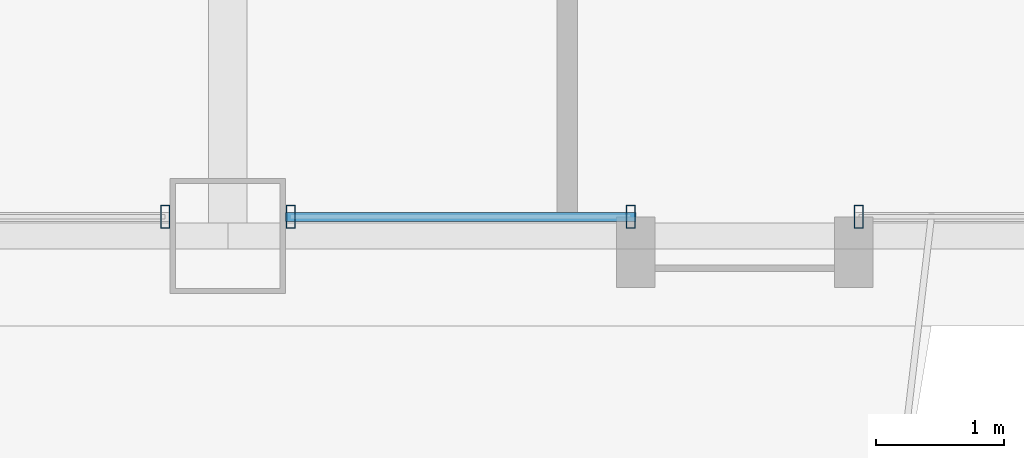
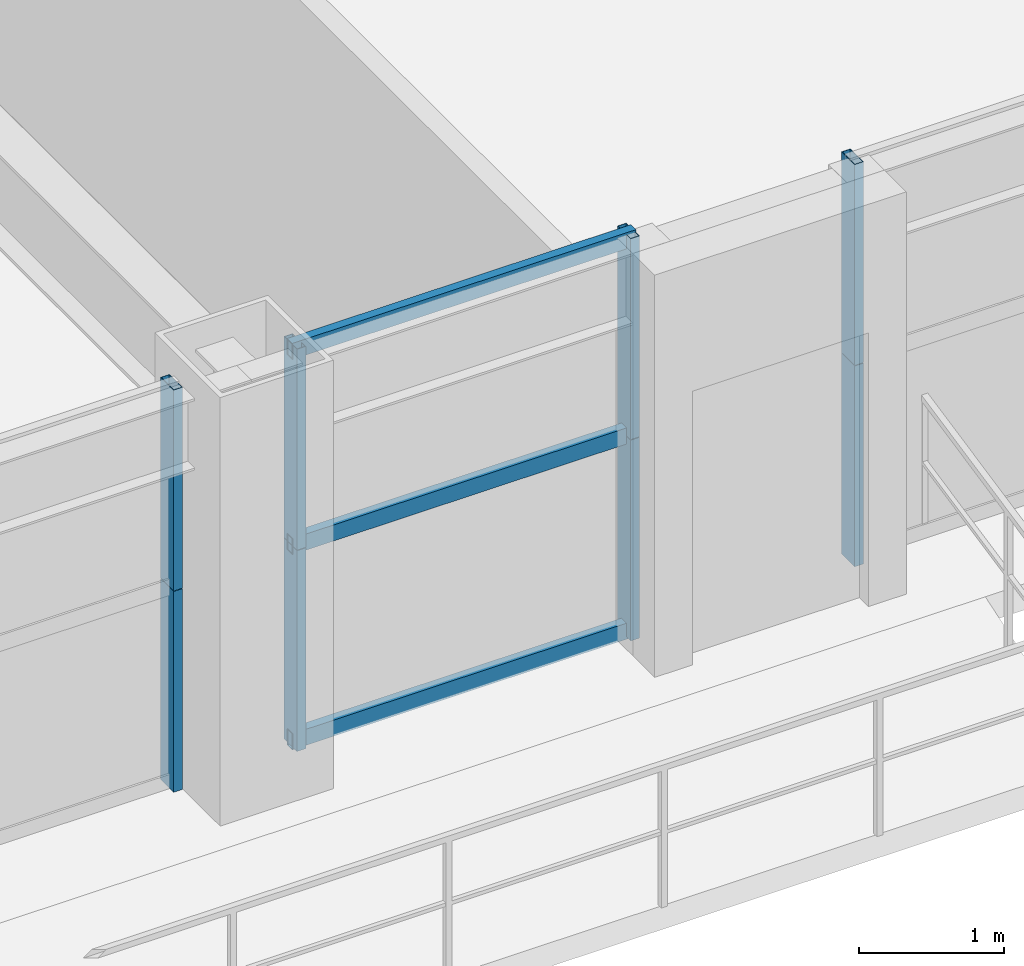
# One storey, part 9 of 43: 11 members, 3 elements without a shape of their own.
"""IFC4 building model written with IfcOpenShell, lengths in metres."""

from ifc_helpers import new_model, si_unit, direction, frame, origin, origin_2d, place, context, subcontext, project, spatial, hollow_rectangle, extrude, source, transform, mapped, material, layer, layer_set, material_profile, profile_set, type_object, element, aggregate, save


model = new_model("IFC4")

# Units and contexts
model_context = context("Model", 3, precision=1e-05, world=origin(), true_north=direction((0.0, 1.0)))
body_context = subcontext(model_context, "Body", "Model", "MODEL_VIEW")
ifc_project = project(units=[si_unit("LENGTHUNIT", "METRE"), si_unit("AREAUNIT", "SQUARE_METRE"), si_unit("VOLUMEUNIT", "CUBIC_METRE"), si_unit("PLANEANGLEUNIT", "RADIAN"), si_unit("MASSUNIT", "GRAM", prefix="KILO"), si_unit("THERMODYNAMICTEMPERATUREUNIT", "KELVIN"), si_unit("POWERUNIT", "WATT")], contexts=[model_context])

# Site, building, storey
site_placement = place(None, origin())
site = spatial("IfcSite", under=ifc_project, at=site_placement, CompositionType="ELEMENT")
building_placement = place(site_placement, origin())
building = spatial("IfcBuilding", under=site, at=building_placement, Name="Yuzanri Waterfront Tower", CompositionType="ELEMENT")
storey_placement = place(building_placement, frame((0.0, 0.0, 78.39990234375)))
storey = spatial("IfcBuildingStorey", under=building, at=storey_placement, Name="L20", CompositionType="ELEMENT", Elevation=78.39990234375)

# Curtain wall, members
ifc_material_1 = material(Name="Anodized Architectural Bronze", Category="metal")
ifc_layer = layer(ifc_material_1, 0.159912109375)
ifc_layer_set = layer_set([ifc_layer], Name="Anodized Architectural Bronze")
curtain_wall_type = type_object("IfcCurtainWallType", Name="Anodized Bronze Hotel Lower-Tier Recessed Unitized Curtain Wall 8100", PredefinedType="NOTDEFINED", material=ifc_layer_set)
curtain_wall_1_placement = place(storey_placement, origin())
curtain_wall_1 = element("IfcCurtainWall", 1, at=curtain_wall_1_placement, inside=storey, type_object=curtain_wall_type, Name="L20 Curtain Wall CW-L20-SL", PredefinedType="NOTDEFINED")
ifc_material_2 = material(Name="Anodized Architectural Bronze", Category="metal")
ifc_material_profile_1 = material_profile(ifc_material_2, hollow_rectangle(XDim=0.070068359375, YDim=0.179931640625, WallThickness=0.00390625, at=origin_2d()), Name="CWM 70x180")
ifc_profile_set_1 = profile_set([ifc_material_profile_1], Name="Anodized Architectural Bronze")
member_type_1 = type_object("IfcMemberType", Name="Anodized Bronze Standard Curtain-Wall Mullion 70x180", PredefinedType="MULLION", material=ifc_profile_set_1)
shared_shape_1 = source(origin(), body_context, "Body", "SweptSolid", [
    extrude(hollow_rectangle(XDim=0.070068359375, YDim=0.179931640625, WallThickness=0.00390625, at=origin_2d()), origin(), (0.0, 0.0, 1.0), 1.68798828125),
])
member_1_placement = place(storey_placement, frame((36.510009765625, 0.85009765625, 0.0), z_axis=(0.0, 0.0, 1.0), x_axis=(1.0, 0.0, 0.0)))
member_1 = element("IfcMember", 2, at=member_1_placement, type_object=member_type_1, Name="CW-L20-SL Lower Mullion 02", PredefinedType="MULLION", context=body_context, shape_type="MappedRepresentation", body=[
    mapped(shared_shape_1, transform((0.0, 0.0, 0.0), scale=1.0)),
])
member_2_placement = place(storey_placement, frame((36.510009765625, 0.85009765625, 1.692138671875), z_axis=(0.0, 0.0, 1.0), x_axis=(1.0, 0.0, 0.0)))
member_2 = element("IfcMember", 3, at=member_2_placement, type_object=member_type_1, Name="CW-L20-SL Upper Mullion 02", PredefinedType="MULLION", context=body_context, shape_type="MappedRepresentation", body=[
    mapped(shared_shape_1, transform((0.0, 0.0, 0.0), scale=1.0)),
])
aggregate(curtain_wall_1, [member_1, member_2])

curtain_wall_2_placement = place(storey_placement, origin())
curtain_wall_2 = element("IfcCurtainWall", 4, at=curtain_wall_2_placement, inside=storey, type_object=curtain_wall_type, Name="L20 Curtain Wall CW-L20-SR1", PredefinedType="NOTDEFINED")
member_3_placement = place(storey_placement, frame((37.489990234375, 0.85009765625, 0.0), z_axis=(0.0, 0.0, 1.0), x_axis=(1.0, 0.0, 0.0)))
member_3 = element("IfcMember", 5, at=member_3_placement, type_object=member_type_1, Name="CW-L20-SR1 Lower Mullion 00", PredefinedType="MULLION", context=body_context, shape_type="MappedRepresentation", body=[
    mapped(shared_shape_1, transform((0.0, 0.0, 0.0), scale=1.0)),
])
member_4_placement = place(storey_placement, frame((37.489990234375, 0.85009765625, 1.692138671875), z_axis=(0.0, 0.0, 1.0), x_axis=(1.0, 0.0, 0.0)))
member_4 = element("IfcMember", 6, at=member_4_placement, type_object=member_type_1, Name="CW-L20-SR1 Upper Mullion 00", PredefinedType="MULLION", context=body_context, shape_type="MappedRepresentation", body=[
    mapped(shared_shape_1, transform((0.0, 0.0, 0.0), scale=1.0)),
])
member_5_placement = place(storey_placement, frame((40.14208984375, 0.85009765625, 0.0), z_axis=(0.0, 0.0, 1.0), x_axis=(1.0, 0.0, 0.0)))
member_5 = element("IfcMember", 7, at=member_5_placement, type_object=member_type_1, Name="CW-L20-SR1 Lower Mullion 01", PredefinedType="MULLION", context=body_context, shape_type="MappedRepresentation", body=[
    mapped(shared_shape_1, transform((0.0, 0.0, 0.0), scale=1.0)),
])
member_6_placement = place(storey_placement, frame((40.14208984375, 0.85009765625, 1.692138671875), z_axis=(0.0, 0.0, 1.0), x_axis=(1.0, 0.0, 0.0)))
member_6 = element("IfcMember", 8, at=member_6_placement, type_object=member_type_1, Name="CW-L20-SR1 Upper Mullion 01", PredefinedType="MULLION", context=body_context, shape_type="MappedRepresentation", body=[
    mapped(shared_shape_1, transform((0.0, 0.0, 0.0), scale=1.0)),
])

curtain_wall_3_placement = place(storey_placement, origin())
curtain_wall_3 = element("IfcCurtainWall", 9, at=curtain_wall_3_placement, inside=storey, type_object=curtain_wall_type, Name="L20 Curtain Wall CW-L20-SR2", PredefinedType="NOTDEFINED")
member_7_placement = place(storey_placement, frame((41.922119140625, 0.85009765625, 0.0), z_axis=(0.0, 0.0, 1.0), x_axis=(1.0, 0.0, 0.0)))
member_7 = element("IfcMember", 10, at=member_7_placement, type_object=member_type_1, Name="CW-L20-SR2 Lower Mullion 00", PredefinedType="MULLION", context=body_context, shape_type="MappedRepresentation", body=[
    mapped(shared_shape_1, transform((0.0, 0.0, 0.0), scale=1.0)),
])
member_8_placement = place(storey_placement, frame((41.922119140625, 0.85009765625, 1.692138671875), z_axis=(0.0, 0.0, 1.0), x_axis=(1.0, 0.0, 0.0)))
member_8 = element("IfcMember", 11, at=member_8_placement, type_object=member_type_1, Name="CW-L20-SR2 Upper Mullion 00", PredefinedType="MULLION", context=body_context, shape_type="MappedRepresentation", body=[
    mapped(shared_shape_1, transform((0.0, 0.0, 0.0), scale=1.0)),
])
aggregate(curtain_wall_3, [member_7, member_8])

# Member
ifc_material_3 = material(Name="Anodized Architectural Bronze", Category="metal")
ifc_material_profile_2 = material_profile(ifc_material_3, hollow_rectangle(XDim=0.070068359375, YDim=0.135009765625, WallThickness=0.00341796875, at=origin_2d()), Name="CWT 70x135")
ifc_profile_set_2 = profile_set([ifc_material_profile_2], Name="Anodized Architectural Bronze")
member_type_2 = type_object("IfcMemberType", Name="Anodized Bronze Standard Curtain-Wall Transom 70x135", PredefinedType="USERDEFINED", material=ifc_profile_set_2)
shared_shape_2 = source(origin(), body_context, "Body", "SweptSolid", [
    extrude(hollow_rectangle(XDim=0.070068359375, YDim=0.135009765625, WallThickness=0.00341796875, at=origin_2d()), origin(), (0.0, 0.0, 1.0), 2.73193359375),
])
member_9_placement = place(storey_placement, frame((37.449951171875, 0.85009765625, 0.050048828125), z_axis=(1.0, 0.0, 0.0), x_axis=(0.0, 1.0, 0.0)))
member_9 = element("IfcMember", 12, at=member_9_placement, type_object=member_type_2, Name="CW-L20-SR1 Transom 1", ObjectType="TRANSOM", PredefinedType="USERDEFINED", context=body_context, shape_type="MappedRepresentation", body=[
    mapped(shared_shape_2, transform((0.0, 0.0, 0.0), scale=1.0)),
])

member_10_placement = place(storey_placement, frame((37.449951171875, 0.85009765625, 1.690185546875), z_axis=(1.0, 0.0, 0.0), x_axis=(0.0, 1.0, 0.0)))
member_10 = element("IfcMember", 13, at=member_10_placement, type_object=member_type_2, Name="CW-L20-SR1 Transom 2", ObjectType="TRANSOM", PredefinedType="USERDEFINED", context=body_context, shape_type="MappedRepresentation", body=[
    mapped(shared_shape_2, transform((0.0, 0.0, 0.0), scale=1.0)),
])

member_11_placement = place(storey_placement, frame((37.449951171875, 0.85009765625, 3.330078125), z_axis=(1.0, 0.0, 0.0), x_axis=(0.0, 1.0, 0.0)))
member_11 = element("IfcMember", 14, at=member_11_placement, type_object=member_type_2, Name="CW-L20-SR1 Transom 3", ObjectType="TRANSOM", PredefinedType="USERDEFINED", context=body_context, shape_type="MappedRepresentation", body=[
    mapped(shared_shape_2, transform((0.0, 0.0, 0.0), scale=1.0)),
])

aggregate(curtain_wall_2, [member_3, member_4, member_5, member_6, member_9, member_10, member_11])

save(model, "model.ifc")
